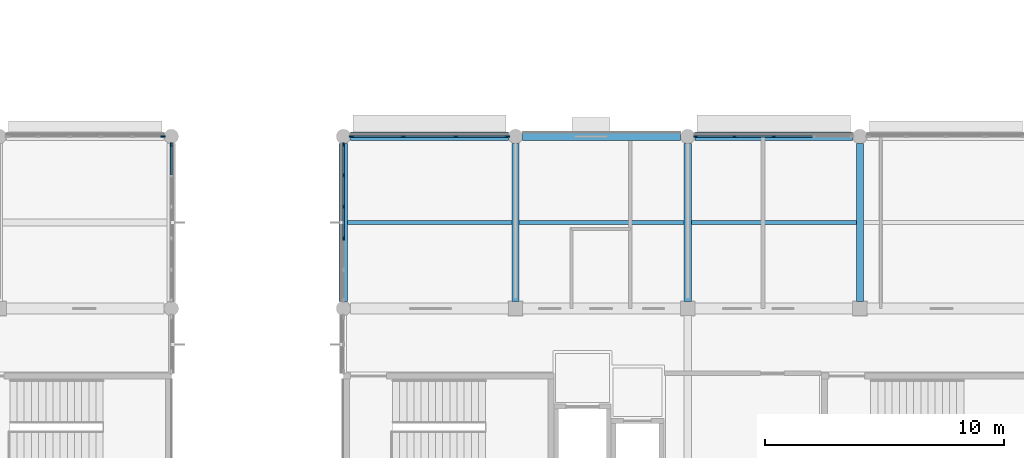
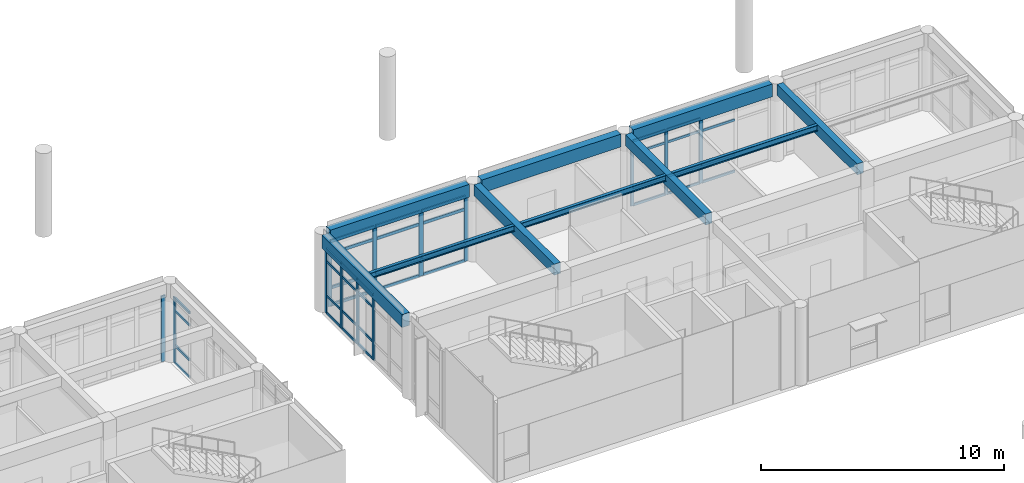
# One storey, part 11 of 41: 52 members, 10 beams, 5 elements without a shape of their own.
"""IFC4 building model written with IfcOpenShell, lengths in metres."""

from ifc_helpers import new_model, si_unit, direction, frame, origin, origin_2d, place, context, subcontext, project, spatial, rectangle, i_section, extrude, material, layer, layer_set, material_profile, profile_set, type_object, element, aggregate, save


model = new_model("IFC4")

# Units and contexts
model_context = context("Model", 3, precision=1e-05, world=origin(), true_north=direction((0.0, 1.0)))
body_context = subcontext(model_context, "Body", "Model", "MODEL_VIEW")
ifc_project = project(units=[si_unit("LENGTHUNIT", "METRE"), si_unit("AREAUNIT", "SQUARE_METRE"), si_unit("VOLUMEUNIT", "CUBIC_METRE"), si_unit("PLANEANGLEUNIT", "RADIAN"), si_unit("MASSUNIT", "GRAM", prefix="KILO")], contexts=[model_context])

# Site, building, storey
site_placement = place(None, origin())
site = spatial("IfcSite", under=ifc_project, at=site_placement, CompositionType="ELEMENT")
building_placement = place(site_placement, origin())
building = spatial("IfcBuilding", under=site, at=building_placement, Name="Namkhue Oval Health Centre", CompositionType="ELEMENT")
storey_placement = place(building_placement, frame((0.0, 0.0, 13.800048828125)))
storey = spatial("IfcBuildingStorey", under=building, at=storey_placement, Name="L03", CompositionType="ELEMENT", Elevation=13.800048828125)

# Curtain wall, member
ifc_material_1 = material(Name="Anodised aluminium EN AW-6063 T6", Category="aluminium")
ifc_layer_1 = layer(ifc_material_1, 0.159912109375)
ifc_layer_set_1 = layer_set([ifc_layer_1], Name="Anodised aluminium EN AW-6063 T6")
curtain_wall_type_1 = type_object("IfcCurtainWallType", Name="UNITISED CURTAIN WALL M1200", PredefinedType="NOTDEFINED", material=ifc_layer_set_1)
curtain_wall_1_placement = place(storey_placement, origin())
curtain_wall_1 = element("IfcCurtainWall", 1, at=curtain_wall_1_placement, inside=storey, type_object=curtain_wall_type_1, Name="Volume V2 L03 Unitised Curtain Wall 73", PredefinedType="NOTDEFINED")
ifc_material_profile_1 = material_profile(ifc_material_1, rectangle(XDim=0.06494140625, YDim=0.159912109375, at=origin_2d()), Name="ALU 65x160")
ifc_profile_set_1 = profile_set([ifc_material_profile_1], Name="Anodised aluminium EN AW-6063 T6")
member_type_1 = type_object("IfcMemberType", Name="CURTAIN WALL MULLION 65X160", PredefinedType="MULLION", material=ifc_profile_set_1)
member_1_placement = place(storey_placement, frame((86.39990234375, 104.0576171875, 0.0), z_axis=(0.0, 0.0, 1.0), x_axis=(-1.0, 0.0, 0.0)))
member_1 = element("IfcMember", 2, at=member_1_placement, type_object=member_type_1, Name="CW-01 mullion 6", PredefinedType="MULLION", context=body_context, shape_type="SweptSolid", body=[
    extrude(rectangle(XDim=0.06494140625, YDim=0.159912109375, at=origin_2d()), origin(), (0.0, 0.0, 1.0), 3.294921875),
])

# Curtain wall, members
ifc_layer_2 = layer(ifc_material_1, 0.159912109375)
ifc_layer_set_2 = layer_set([ifc_layer_2], Name="Anodised aluminium EN AW-6063 T6")
curtain_wall_type_2 = type_object("IfcCurtainWallType", Name="UNITISED CURTAIN WALL M1800", PredefinedType="NOTDEFINED", material=ifc_layer_set_2)
curtain_wall_2_placement = place(storey_placement, origin())
curtain_wall_2 = element("IfcCurtainWall", 3, at=curtain_wall_2_placement, inside=storey, type_object=curtain_wall_type_2, Name="Volume V3 L03 Unitised Curtain Wall 119", PredefinedType="NOTDEFINED")
member_2_placement = place(storey_placement, frame((111.60009765625, 104.39990234375, 0.0), z_axis=(0.0, 0.0, 1.0), x_axis=(0.0, -1.0, 0.0)))
member_2 = element("IfcMember", 4, at=member_2_placement, type_object=member_type_1, Name="CW-05 mullion 3", PredefinedType="MULLION", context=body_context, shape_type="SweptSolid", body=[
    extrude(rectangle(XDim=0.06494140625, YDim=0.159912109375, at=origin_2d()), origin(), (0.0, 0.0, 1.0), 3.27001953125),
])
member_3_placement = place(storey_placement, frame((109.955078125, 104.39990234375, 0.0), z_axis=(0.0, 0.0, 1.0), x_axis=(0.0, -1.0, 0.0)))
member_3 = element("IfcMember", 5, at=member_3_placement, type_object=member_type_1, Name="CW-05 mullion 4", PredefinedType="MULLION", context=body_context, shape_type="SweptSolid", body=[
    extrude(rectangle(XDim=0.06494140625, YDim=0.159912109375, at=origin_2d()), origin(), (0.0, 0.0, 1.0), 3.27001953125),
])
member_4_placement = place(storey_placement, frame((108.342529296875, 104.39990234375, 0.0), z_axis=(0.0, 0.0, 1.0), x_axis=(0.0, -1.0, 0.0)))
member_4 = element("IfcMember", 6, at=member_4_placement, type_object=member_type_1, Name="CW-05 mullion 5", PredefinedType="MULLION", context=body_context, shape_type="SweptSolid", body=[
    extrude(rectangle(XDim=0.06494140625, YDim=0.159912109375, at=origin_2d()), origin(), (0.0, 0.0, 1.0), 3.27001953125),
])

curtain_wall_3_placement = place(storey_placement, origin())
curtain_wall_3 = element("IfcCurtainWall", 7, at=curtain_wall_3_placement, inside=storey, type_object=curtain_wall_type_1, Name="Volume V3 L03 Unitised Curtain Wall 121", PredefinedType="NOTDEFINED")
member_5_placement = place(storey_placement, frame((93.60009765625, 104.0576171875, 0.0), z_axis=(0.0, 0.0, 1.0), x_axis=(1.0, 0.0, 0.0)))
member_5 = element("IfcMember", 8, at=member_5_placement, type_object=member_type_1, Name="CW-01 mullion 1", PredefinedType="MULLION", context=body_context, shape_type="SweptSolid", body=[
    extrude(rectangle(XDim=0.06494140625, YDim=0.159912109375, at=origin_2d()), origin(), (0.0, 0.0, 1.0), 3.27001953125),
])
member_6_placement = place(storey_placement, frame((93.60009765625, 102.77392578125, 0.0), z_axis=(0.0, 0.0, 1.0), x_axis=(1.0, 0.0, 0.0)))
member_6 = element("IfcMember", 9, at=member_6_placement, type_object=member_type_1, Name="CW-01 mullion 2", PredefinedType="MULLION", context=body_context, shape_type="SweptSolid", body=[
    extrude(rectangle(XDim=0.06494140625, YDim=0.159912109375, at=origin_2d()), origin(), (0.0, 0.0, 1.0), 3.27001953125),
])
member_7_placement = place(storey_placement, frame((93.60009765625, 101.4580078125, 0.0), z_axis=(0.0, 0.0, 1.0), x_axis=(1.0, 0.0, 0.0)))
member_7 = element("IfcMember", 10, at=member_7_placement, type_object=member_type_1, Name="CW-01 mullion 3", PredefinedType="MULLION", context=body_context, shape_type="SweptSolid", body=[
    extrude(rectangle(XDim=0.06494140625, YDim=0.159912109375, at=origin_2d()), origin(), (0.0, 0.0, 1.0), 3.27001953125),
])
member_8_placement = place(storey_placement, frame((93.60009765625, 100.14208984375, 0.0), z_axis=(0.0, 0.0, 1.0), x_axis=(1.0, 0.0, 0.0)))
member_8 = element("IfcMember", 11, at=member_8_placement, type_object=member_type_1, Name="CW-01 mullion 4", PredefinedType="MULLION", context=body_context, shape_type="SweptSolid", body=[
    extrude(rectangle(XDim=0.06494140625, YDim=0.159912109375, at=origin_2d()), origin(), (0.0, 0.0, 1.0), 3.27001953125),
])

# Curtain wall, member
ifc_layer_3 = layer(ifc_material_1, 0.159912109375)
ifc_layer_set_3 = layer_set([ifc_layer_3], Name="Anodised aluminium EN AW-6063 T6")
curtain_wall_type_3 = type_object("IfcCurtainWallType", Name="UNITISED CURTAIN WALL M1350", PredefinedType="NOTDEFINED", material=ifc_layer_set_3)
curtain_wall_4_placement = place(storey_placement, origin())
curtain_wall_4 = element("IfcCurtainWall", 12, at=curtain_wall_4_placement, inside=storey, type_object=curtain_wall_type_3, Name="Volume V2 L03 Unitised Curtain Wall 74", PredefinedType="NOTDEFINED")
ifc_material_profile_2 = material_profile(ifc_material_1, rectangle(XDim=0.074951171875, YDim=0.199951171875, at=origin_2d()), Name="ALU 75x200")
ifc_profile_set_2 = profile_set([ifc_material_profile_2], Name="Anodised aluminium EN AW-6063 T6")
member_type_2 = type_object("IfcMemberType", Name="CURTAIN WALL MULLION 75X200", PredefinedType="MULLION", material=ifc_profile_set_2)
member_9_placement = place(storey_placement, frame((86.052490234375, 104.39990234375, 0.0), z_axis=(0.0, 0.0, 1.0), x_axis=(0.0, -1.0, 0.0)))
member_9 = element("IfcMember", 13, at=member_9_placement, type_object=member_type_2, Name="CW-02 mullion 1", PredefinedType="MULLION", context=body_context, shape_type="SweptSolid", body=[
    extrude(rectangle(XDim=0.074951171875, YDim=0.199951171875, at=origin_2d()), origin(), (0.0, 0.0, 1.0), 3.294921875),
])
aggregate(curtain_wall_4, [member_9])

# Curtain wall, members
ifc_layer_4 = layer(ifc_material_1, 0.159912109375)
ifc_layer_set_4 = layer_set([ifc_layer_4], Name="Anodised aluminium EN AW-6063 T6")
curtain_wall_type_4 = type_object("IfcCurtainWallType", Name="UNITISED CURTAIN WALL M2000", PredefinedType="NOTDEFINED", material=ifc_layer_set_4)
curtain_wall_5_placement = place(storey_placement, origin())
curtain_wall_5 = element("IfcCurtainWall", 14, at=curtain_wall_5_placement, inside=storey, type_object=curtain_wall_type_4, Name="Volume V3 L03 Unitised Curtain Wall 120", PredefinedType="NOTDEFINED")
member_10_placement = place(storey_placement, frame((100.452392578125, 104.39990234375, 0.0), z_axis=(0.0, 0.0, 1.0), x_axis=(0.0, -1.0, 0.0)))
member_10 = element("IfcMember", 15, at=member_10_placement, type_object=member_type_2, Name="CW-06 mullion 1", PredefinedType="MULLION", context=body_context, shape_type="SweptSolid", body=[
    extrude(rectangle(XDim=0.074951171875, YDim=0.199951171875, at=origin_2d()), origin(), (0.0, 0.0, 1.0), 3.27001953125),
])
member_11_placement = place(storey_placement, frame((98.296630859375, 104.39990234375, 0.0), z_axis=(0.0, 0.0, 1.0), x_axis=(0.0, -1.0, 0.0)))
member_11 = element("IfcMember", 16, at=member_11_placement, type_object=member_type_2, Name="CW-06 mullion 2", PredefinedType="MULLION", context=body_context, shape_type="SweptSolid", body=[
    extrude(rectangle(XDim=0.074951171875, YDim=0.199951171875, at=origin_2d()), origin(), (0.0, 0.0, 1.0), 3.27001953125),
])
member_12_placement = place(storey_placement, frame((96.103271484375, 104.39990234375, 0.0), z_axis=(0.0, 0.0, 1.0), x_axis=(0.0, -1.0, 0.0)))
member_12 = element("IfcMember", 17, at=member_12_placement, type_object=member_type_2, Name="CW-06 mullion 3", PredefinedType="MULLION", context=body_context, shape_type="SweptSolid", body=[
    extrude(rectangle(XDim=0.074951171875, YDim=0.199951171875, at=origin_2d()), origin(), (0.0, 0.0, 1.0), 3.27001953125),
])
member_13_placement = place(storey_placement, frame((93.947509765625, 104.39990234375, 0.0), z_axis=(0.0, 0.0, 1.0), x_axis=(0.0, -1.0, 0.0)))
member_13 = element("IfcMember", 18, at=member_13_placement, type_object=member_type_2, Name="CW-06 mullion 4", PredefinedType="MULLION", context=body_context, shape_type="SweptSolid", body=[
    extrude(rectangle(XDim=0.074951171875, YDim=0.199951171875, at=origin_2d()), origin(), (0.0, 0.0, 1.0), 3.27001953125),
])

# Member
ifc_material_profile_3 = material_profile(ifc_material_1, rectangle(XDim=0.06494140625, YDim=0.1201171875, at=origin_2d()), Name="ALU 65x120")
ifc_profile_set_3 = profile_set([ifc_material_profile_3], Name="Anodised aluminium EN AW-6063 T6")
member_type_3 = type_object("IfcMemberType", Name="CURTAIN WALL TRANSOM 65X120", PredefinedType="USERDEFINED", material=ifc_profile_set_3)
member_14_placement = place(storey_placement, frame((86.39990234375, 102.806396484375, 0.032470703125), z_axis=(0.0, 1.0, 0.0), x_axis=(-1.0, 0.0, 0.0)))
member_14 = element("IfcMember", 19, at=member_14_placement, type_object=member_type_3, Name="CW-01 transom 5.1", ObjectType="TRANSOM", PredefinedType="USERDEFINED", context=body_context, shape_type="SweptSolid", body=[
    extrude(rectangle(XDim=0.06494140625, YDim=0.1201171875, at=origin_2d()), origin(), (0.0, 0.0, 1.0), 1.218505859375),
])

member_15_placement = place(storey_placement, frame((86.39990234375, 102.806396484375, 0.89990234375), z_axis=(0.0, 1.0, 0.0), x_axis=(-1.0, 0.0, 0.0)))
member_15 = element("IfcMember", 20, at=member_15_placement, type_object=member_type_3, Name="CW-01 transom 5.2", ObjectType="TRANSOM", PredefinedType="USERDEFINED", context=body_context, shape_type="SweptSolid", body=[
    extrude(rectangle(XDim=0.06494140625, YDim=0.1201171875, at=origin_2d()), origin(), (0.0, 0.0, 1.0), 1.218505859375),
])

member_16_placement = place(storey_placement, frame((86.39990234375, 102.806396484375, 2.64501953125), z_axis=(0.0, 1.0, 0.0), x_axis=(-1.0, 0.0, 0.0)))
member_16 = element("IfcMember", 21, at=member_16_placement, type_object=member_type_3, Name="CW-01 transom 5.3", ObjectType="TRANSOM", PredefinedType="USERDEFINED", context=body_context, shape_type="SweptSolid", body=[
    extrude(rectangle(XDim=0.06494140625, YDim=0.1201171875, at=origin_2d()), origin(), (0.0, 0.0, 1.0), 1.218505859375),
])

member_17_placement = place(storey_placement, frame((86.39990234375, 102.806396484375, 3.262451171875), z_axis=(0.0, 1.0, 0.0), x_axis=(-1.0, 0.0, 0.0)))
member_17 = element("IfcMember", 22, at=member_17_placement, type_object=member_type_3, Name="CW-01 transom 5.4", ObjectType="TRANSOM", PredefinedType="USERDEFINED", context=body_context, shape_type="SweptSolid", body=[
    extrude(rectangle(XDim=0.06494140625, YDim=0.1201171875, at=origin_2d()), origin(), (0.0, 0.0, 1.0), 1.218505859375),
])

aggregate(curtain_wall_1, [member_1, member_14, member_15, member_16, member_17])

member_18_placement = place(storey_placement, frame((113.21240234375, 104.39990234375, 0.032470703125), z_axis=(-1.0, 0.0, 0.0), x_axis=(0.0, -1.0, 0.0)))
member_18 = element("IfcMember", 23, at=member_18_placement, type_object=member_type_3, Name="CW-05 transom 2.1", ObjectType="TRANSOM", PredefinedType="USERDEFINED", context=body_context, shape_type="SweptSolid", body=[
    extrude(rectangle(XDim=0.06494140625, YDim=0.1201171875, at=origin_2d()), origin(), (0.0, 0.0, 1.0), 1.579833984375),
])

member_19_placement = place(storey_placement, frame((113.21240234375, 104.39990234375, 0.89990234375), z_axis=(-1.0, 0.0, 0.0), x_axis=(0.0, -1.0, 0.0)))
member_19 = element("IfcMember", 24, at=member_19_placement, type_object=member_type_3, Name="CW-05 transom 2.2", ObjectType="TRANSOM", PredefinedType="USERDEFINED", context=body_context, shape_type="SweptSolid", body=[
    extrude(rectangle(XDim=0.06494140625, YDim=0.1201171875, at=origin_2d()), origin(), (0.0, 0.0, 1.0), 1.579833984375),
])

member_20_placement = place(storey_placement, frame((113.21240234375, 104.39990234375, 2.619873046875), z_axis=(-1.0, 0.0, 0.0), x_axis=(0.0, -1.0, 0.0)))
member_20 = element("IfcMember", 25, at=member_20_placement, type_object=member_type_3, Name="CW-05 transom 2.3", ObjectType="TRANSOM", PredefinedType="USERDEFINED", context=body_context, shape_type="SweptSolid", body=[
    extrude(rectangle(XDim=0.06494140625, YDim=0.1201171875, at=origin_2d()), origin(), (0.0, 0.0, 1.0), 1.579833984375),
])

member_21_placement = place(storey_placement, frame((111.5673828125, 104.39990234375, 0.032470703125), z_axis=(-1.0, 0.0, 0.0), x_axis=(0.0, -1.0, 0.0)))
member_21 = element("IfcMember", 26, at=member_21_placement, type_object=member_type_3, Name="CW-05 transom 3.1", ObjectType="TRANSOM", PredefinedType="USERDEFINED", context=body_context, shape_type="SweptSolid", body=[
    extrude(rectangle(XDim=0.06494140625, YDim=0.1201171875, at=origin_2d()), origin(), (0.0, 0.0, 1.0), 1.579833984375),
])

member_22_placement = place(storey_placement, frame((111.5673828125, 104.39990234375, 0.89990234375), z_axis=(-1.0, 0.0, 0.0), x_axis=(0.0, -1.0, 0.0)))
member_22 = element("IfcMember", 27, at=member_22_placement, type_object=member_type_3, Name="CW-05 transom 3.2", ObjectType="TRANSOM", PredefinedType="USERDEFINED", context=body_context, shape_type="SweptSolid", body=[
    extrude(rectangle(XDim=0.06494140625, YDim=0.1201171875, at=origin_2d()), origin(), (0.0, 0.0, 1.0), 1.579833984375),
])

member_23_placement = place(storey_placement, frame((111.5673828125, 104.39990234375, 2.619873046875), z_axis=(-1.0, 0.0, 0.0), x_axis=(0.0, -1.0, 0.0)))
member_23 = element("IfcMember", 28, at=member_23_placement, type_object=member_type_3, Name="CW-05 transom 3.3", ObjectType="TRANSOM", PredefinedType="USERDEFINED", context=body_context, shape_type="SweptSolid", body=[
    extrude(rectangle(XDim=0.06494140625, YDim=0.1201171875, at=origin_2d()), origin(), (0.0, 0.0, 1.0), 1.579833984375),
])

member_24_placement = place(storey_placement, frame((111.5673828125, 104.39990234375, 3.237548828125), z_axis=(-1.0, 0.0, 0.0), x_axis=(0.0, -1.0, 0.0)))
member_24 = element("IfcMember", 29, at=member_24_placement, type_object=member_type_3, Name="CW-05 transom 3.4", ObjectType="TRANSOM", PredefinedType="USERDEFINED", context=body_context, shape_type="SweptSolid", body=[
    extrude(rectangle(XDim=0.06494140625, YDim=0.1201171875, at=origin_2d()), origin(), (0.0, 0.0, 1.0), 1.579833984375),
])

member_25_placement = place(storey_placement, frame((109.922607421875, 104.39990234375, 0.032470703125), z_axis=(-1.0, 0.0, 0.0), x_axis=(0.0, -1.0, 0.0)))
member_25 = element("IfcMember", 30, at=member_25_placement, type_object=member_type_3, Name="CW-05 transom 4.1", ObjectType="TRANSOM", PredefinedType="USERDEFINED", context=body_context, shape_type="SweptSolid", body=[
    extrude(rectangle(XDim=0.06494140625, YDim=0.1201171875, at=origin_2d()), origin(), (0.0, 0.0, 1.0), 1.547607421875),
])

member_26_placement = place(storey_placement, frame((109.922607421875, 104.39990234375, 0.89990234375), z_axis=(-1.0, 0.0, 0.0), x_axis=(0.0, -1.0, 0.0)))
member_26 = element("IfcMember", 31, at=member_26_placement, type_object=member_type_3, Name="CW-05 transom 4.2", ObjectType="TRANSOM", PredefinedType="USERDEFINED", context=body_context, shape_type="SweptSolid", body=[
    extrude(rectangle(XDim=0.06494140625, YDim=0.1201171875, at=origin_2d()), origin(), (0.0, 0.0, 1.0), 1.547607421875),
])

member_27_placement = place(storey_placement, frame((109.922607421875, 104.39990234375, 2.619873046875), z_axis=(-1.0, 0.0, 0.0), x_axis=(0.0, -1.0, 0.0)))
member_27 = element("IfcMember", 32, at=member_27_placement, type_object=member_type_3, Name="CW-05 transom 4.3", ObjectType="TRANSOM", PredefinedType="USERDEFINED", context=body_context, shape_type="SweptSolid", body=[
    extrude(rectangle(XDim=0.06494140625, YDim=0.1201171875, at=origin_2d()), origin(), (0.0, 0.0, 1.0), 1.547607421875),
])

member_28_placement = place(storey_placement, frame((109.922607421875, 104.39990234375, 3.237548828125), z_axis=(-1.0, 0.0, 0.0), x_axis=(0.0, -1.0, 0.0)))
member_28 = element("IfcMember", 33, at=member_28_placement, type_object=member_type_3, Name="CW-05 transom 4.4", ObjectType="TRANSOM", PredefinedType="USERDEFINED", context=body_context, shape_type="SweptSolid", body=[
    extrude(rectangle(XDim=0.06494140625, YDim=0.1201171875, at=origin_2d()), origin(), (0.0, 0.0, 1.0), 1.547607421875),
])

aggregate(curtain_wall_2, [member_2, member_3, member_4, member_18, member_19, member_20, member_21, member_22, member_23, member_24, member_25, member_26, member_27, member_28])

member_29_placement = place(storey_placement, frame((93.60009765625, 104.02490234375, 0.032470703125), z_axis=(0.0, -1.0, 0.0), x_axis=(1.0, 0.0, 0.0)))
member_29 = element("IfcMember", 34, at=member_29_placement, type_object=member_type_3, Name="CW-01 transom 1.1", ObjectType="TRANSOM", PredefinedType="USERDEFINED", context=body_context, shape_type="SweptSolid", body=[
    extrude(rectangle(XDim=0.06494140625, YDim=0.1201171875, at=origin_2d()), origin(), (0.0, 0.0, 1.0), 1.218505859375),
])

member_30_placement = place(storey_placement, frame((93.60009765625, 104.02490234375, 0.89990234375), z_axis=(0.0, -1.0, 0.0), x_axis=(1.0, 0.0, 0.0)))
member_30 = element("IfcMember", 35, at=member_30_placement, type_object=member_type_3, Name="CW-01 transom 1.2", ObjectType="TRANSOM", PredefinedType="USERDEFINED", context=body_context, shape_type="SweptSolid", body=[
    extrude(rectangle(XDim=0.06494140625, YDim=0.1201171875, at=origin_2d()), origin(), (0.0, 0.0, 1.0), 1.218505859375),
])

member_31_placement = place(storey_placement, frame((93.60009765625, 104.02490234375, 2.619873046875), z_axis=(0.0, -1.0, 0.0), x_axis=(1.0, 0.0, 0.0)))
member_31 = element("IfcMember", 36, at=member_31_placement, type_object=member_type_3, Name="CW-01 transom 1.3", ObjectType="TRANSOM", PredefinedType="USERDEFINED", context=body_context, shape_type="SweptSolid", body=[
    extrude(rectangle(XDim=0.06494140625, YDim=0.1201171875, at=origin_2d()), origin(), (0.0, 0.0, 1.0), 1.218505859375),
])

member_32_placement = place(storey_placement, frame((93.60009765625, 104.02490234375, 3.237548828125), z_axis=(0.0, -1.0, 0.0), x_axis=(1.0, 0.0, 0.0)))
member_32 = element("IfcMember", 37, at=member_32_placement, type_object=member_type_3, Name="CW-01 transom 1.4", ObjectType="TRANSOM", PredefinedType="USERDEFINED", context=body_context, shape_type="SweptSolid", body=[
    extrude(rectangle(XDim=0.06494140625, YDim=0.1201171875, at=origin_2d()), origin(), (0.0, 0.0, 1.0), 1.218505859375),
])

member_33_placement = place(storey_placement, frame((93.60009765625, 102.741455078125, 0.032470703125), z_axis=(0.0, -1.0, 0.0), x_axis=(1.0, 0.0, 0.0)))
member_33 = element("IfcMember", 38, at=member_33_placement, type_object=member_type_3, Name="CW-01 transom 2.1", ObjectType="TRANSOM", PredefinedType="USERDEFINED", context=body_context, shape_type="SweptSolid", body=[
    extrude(rectangle(XDim=0.06494140625, YDim=0.1201171875, at=origin_2d()), origin(), (0.0, 0.0, 1.0), 1.2509765625),
])

member_34_placement = place(storey_placement, frame((93.60009765625, 102.741455078125, 0.89990234375), z_axis=(0.0, -1.0, 0.0), x_axis=(1.0, 0.0, 0.0)))
member_34 = element("IfcMember", 39, at=member_34_placement, type_object=member_type_3, Name="CW-01 transom 2.2", ObjectType="TRANSOM", PredefinedType="USERDEFINED", context=body_context, shape_type="SweptSolid", body=[
    extrude(rectangle(XDim=0.06494140625, YDim=0.1201171875, at=origin_2d()), origin(), (0.0, 0.0, 1.0), 1.2509765625),
])

member_35_placement = place(storey_placement, frame((93.60009765625, 102.741455078125, 2.619873046875), z_axis=(0.0, -1.0, 0.0), x_axis=(1.0, 0.0, 0.0)))
member_35 = element("IfcMember", 40, at=member_35_placement, type_object=member_type_3, Name="CW-01 transom 2.3", ObjectType="TRANSOM", PredefinedType="USERDEFINED", context=body_context, shape_type="SweptSolid", body=[
    extrude(rectangle(XDim=0.06494140625, YDim=0.1201171875, at=origin_2d()), origin(), (0.0, 0.0, 1.0), 1.2509765625),
])

member_36_placement = place(storey_placement, frame((93.60009765625, 102.741455078125, 3.237548828125), z_axis=(0.0, -1.0, 0.0), x_axis=(1.0, 0.0, 0.0)))
member_36 = element("IfcMember", 41, at=member_36_placement, type_object=member_type_3, Name="CW-01 transom 2.4", ObjectType="TRANSOM", PredefinedType="USERDEFINED", context=body_context, shape_type="SweptSolid", body=[
    extrude(rectangle(XDim=0.06494140625, YDim=0.1201171875, at=origin_2d()), origin(), (0.0, 0.0, 1.0), 1.2509765625),
])

member_37_placement = place(storey_placement, frame((93.60009765625, 101.425537109375, 0.032470703125), z_axis=(0.0, -1.0, 0.0), x_axis=(1.0, 0.0, 0.0)))
member_37 = element("IfcMember", 42, at=member_37_placement, type_object=member_type_3, Name="CW-01 transom 3.1", ObjectType="TRANSOM", PredefinedType="USERDEFINED", context=body_context, shape_type="SweptSolid", body=[
    extrude(rectangle(XDim=0.06494140625, YDim=0.1201171875, at=origin_2d()), origin(), (0.0, 0.0, 1.0), 1.2509765625),
])

member_38_placement = place(storey_placement, frame((93.60009765625, 101.425537109375, 0.89990234375), z_axis=(0.0, -1.0, 0.0), x_axis=(1.0, 0.0, 0.0)))
member_38 = element("IfcMember", 43, at=member_38_placement, type_object=member_type_3, Name="CW-01 transom 3.2", ObjectType="TRANSOM", PredefinedType="USERDEFINED", context=body_context, shape_type="SweptSolid", body=[
    extrude(rectangle(XDim=0.06494140625, YDim=0.1201171875, at=origin_2d()), origin(), (0.0, 0.0, 1.0), 1.2509765625),
])

member_39_placement = place(storey_placement, frame((93.60009765625, 101.425537109375, 2.619873046875), z_axis=(0.0, -1.0, 0.0), x_axis=(1.0, 0.0, 0.0)))
member_39 = element("IfcMember", 44, at=member_39_placement, type_object=member_type_3, Name="CW-01 transom 3.3", ObjectType="TRANSOM", PredefinedType="USERDEFINED", context=body_context, shape_type="SweptSolid", body=[
    extrude(rectangle(XDim=0.06494140625, YDim=0.1201171875, at=origin_2d()), origin(), (0.0, 0.0, 1.0), 1.2509765625),
])

member_40_placement = place(storey_placement, frame((93.60009765625, 101.425537109375, 3.237548828125), z_axis=(0.0, -1.0, 0.0), x_axis=(1.0, 0.0, 0.0)))
member_40 = element("IfcMember", 45, at=member_40_placement, type_object=member_type_3, Name="CW-01 transom 3.4", ObjectType="TRANSOM", PredefinedType="USERDEFINED", context=body_context, shape_type="SweptSolid", body=[
    extrude(rectangle(XDim=0.06494140625, YDim=0.1201171875, at=origin_2d()), origin(), (0.0, 0.0, 1.0), 1.2509765625),
])

aggregate(curtain_wall_3, [member_5, member_6, member_7, member_8, member_29, member_30, member_31, member_32, member_33, member_34, member_35, member_36, member_37, member_38, member_39, member_40])

ifc_material_profile_4 = material_profile(ifc_material_1, rectangle(XDim=0.074951171875, YDim=0.14990234375, at=origin_2d()), Name="ALU 75x150")
ifc_profile_set_4 = profile_set([ifc_material_profile_4], Name="Anodised aluminium EN AW-6063 T6")
member_type_4 = type_object("IfcMemberType", Name="CURTAIN WALL TRANSOM 75X150", PredefinedType="USERDEFINED", material=ifc_profile_set_4)
member_41_placement = place(storey_placement, frame((100.4150390625, 104.39990234375, 0.037353515625), z_axis=(-1.0, 0.0, 0.0), x_axis=(0.0, -1.0, 0.0)))
member_41 = element("IfcMember", 46, at=member_41_placement, type_object=member_type_4, Name="CW-06 transom 1.1", ObjectType="TRANSOM", PredefinedType="USERDEFINED", context=body_context, shape_type="SweptSolid", body=[
    extrude(rectangle(XDim=0.074951171875, YDim=0.14990234375, at=origin_2d()), origin(), (0.0, 0.0, 1.0), 2.080810546875),
])

member_42_placement = place(storey_placement, frame((100.4150390625, 104.39990234375, 0.89990234375), z_axis=(-1.0, 0.0, 0.0), x_axis=(0.0, -1.0, 0.0)))
member_42 = element("IfcMember", 47, at=member_42_placement, type_object=member_type_4, Name="CW-06 transom 1.2", ObjectType="TRANSOM", PredefinedType="USERDEFINED", context=body_context, shape_type="SweptSolid", body=[
    extrude(rectangle(XDim=0.074951171875, YDim=0.14990234375, at=origin_2d()), origin(), (0.0, 0.0, 1.0), 2.080810546875),
])

member_43_placement = place(storey_placement, frame((100.4150390625, 104.39990234375, 2.619873046875), z_axis=(-1.0, 0.0, 0.0), x_axis=(0.0, -1.0, 0.0)))
member_43 = element("IfcMember", 48, at=member_43_placement, type_object=member_type_4, Name="CW-06 transom 1.3", ObjectType="TRANSOM", PredefinedType="USERDEFINED", context=body_context, shape_type="SweptSolid", body=[
    extrude(rectangle(XDim=0.074951171875, YDim=0.14990234375, at=origin_2d()), origin(), (0.0, 0.0, 1.0), 2.080810546875),
])

member_44_placement = place(storey_placement, frame((100.4150390625, 104.39990234375, 3.232421875), z_axis=(-1.0, 0.0, 0.0), x_axis=(0.0, -1.0, 0.0)))
member_44 = element("IfcMember", 49, at=member_44_placement, type_object=member_type_4, Name="CW-06 transom 1.4", ObjectType="TRANSOM", PredefinedType="USERDEFINED", context=body_context, shape_type="SweptSolid", body=[
    extrude(rectangle(XDim=0.074951171875, YDim=0.14990234375, at=origin_2d()), origin(), (0.0, 0.0, 1.0), 2.080810546875),
])

member_45_placement = place(storey_placement, frame((98.25927734375, 104.39990234375, 0.037353515625), z_axis=(-1.0, 0.0, 0.0), x_axis=(0.0, -1.0, 0.0)))
member_45 = element("IfcMember", 50, at=member_45_placement, type_object=member_type_4, Name="CW-06 transom 2.1", ObjectType="TRANSOM", PredefinedType="USERDEFINED", context=body_context, shape_type="SweptSolid", body=[
    extrude(rectangle(XDim=0.074951171875, YDim=0.14990234375, at=origin_2d()), origin(), (0.0, 0.0, 1.0), 2.118408203125),
])

member_46_placement = place(storey_placement, frame((98.25927734375, 104.39990234375, 0.89990234375), z_axis=(-1.0, 0.0, 0.0), x_axis=(0.0, -1.0, 0.0)))
member_46 = element("IfcMember", 51, at=member_46_placement, type_object=member_type_4, Name="CW-06 transom 2.2", ObjectType="TRANSOM", PredefinedType="USERDEFINED", context=body_context, shape_type="SweptSolid", body=[
    extrude(rectangle(XDim=0.074951171875, YDim=0.14990234375, at=origin_2d()), origin(), (0.0, 0.0, 1.0), 2.118408203125),
])

member_47_placement = place(storey_placement, frame((98.25927734375, 104.39990234375, 2.619873046875), z_axis=(-1.0, 0.0, 0.0), x_axis=(0.0, -1.0, 0.0)))
member_47 = element("IfcMember", 52, at=member_47_placement, type_object=member_type_4, Name="CW-06 transom 2.3", ObjectType="TRANSOM", PredefinedType="USERDEFINED", context=body_context, shape_type="SweptSolid", body=[
    extrude(rectangle(XDim=0.074951171875, YDim=0.14990234375, at=origin_2d()), origin(), (0.0, 0.0, 1.0), 2.118408203125),
])

member_48_placement = place(storey_placement, frame((98.25927734375, 104.39990234375, 3.232421875), z_axis=(-1.0, 0.0, 0.0), x_axis=(0.0, -1.0, 0.0)))
member_48 = element("IfcMember", 53, at=member_48_placement, type_object=member_type_4, Name="CW-06 transom 2.4", ObjectType="TRANSOM", PredefinedType="USERDEFINED", context=body_context, shape_type="SweptSolid", body=[
    extrude(rectangle(XDim=0.074951171875, YDim=0.14990234375, at=origin_2d()), origin(), (0.0, 0.0, 1.0), 2.118408203125),
])

member_49_placement = place(storey_placement, frame((96.06591796875, 104.39990234375, 0.037353515625), z_axis=(-1.0, 0.0, 0.0), x_axis=(0.0, -1.0, 0.0)))
member_49 = element("IfcMember", 54, at=member_49_placement, type_object=member_type_4, Name="CW-06 transom 3.1", ObjectType="TRANSOM", PredefinedType="USERDEFINED", context=body_context, shape_type="SweptSolid", body=[
    extrude(rectangle(XDim=0.074951171875, YDim=0.14990234375, at=origin_2d()), origin(), (0.0, 0.0, 1.0), 2.080810546875),
])

member_50_placement = place(storey_placement, frame((96.06591796875, 104.39990234375, 0.89990234375), z_axis=(-1.0, 0.0, 0.0), x_axis=(0.0, -1.0, 0.0)))
member_50 = element("IfcMember", 55, at=member_50_placement, type_object=member_type_4, Name="CW-06 transom 3.2", ObjectType="TRANSOM", PredefinedType="USERDEFINED", context=body_context, shape_type="SweptSolid", body=[
    extrude(rectangle(XDim=0.074951171875, YDim=0.14990234375, at=origin_2d()), origin(), (0.0, 0.0, 1.0), 2.080810546875),
])

member_51_placement = place(storey_placement, frame((96.06591796875, 104.39990234375, 2.619873046875), z_axis=(-1.0, 0.0, 0.0), x_axis=(0.0, -1.0, 0.0)))
member_51 = element("IfcMember", 56, at=member_51_placement, type_object=member_type_4, Name="CW-06 transom 3.3", ObjectType="TRANSOM", PredefinedType="USERDEFINED", context=body_context, shape_type="SweptSolid", body=[
    extrude(rectangle(XDim=0.074951171875, YDim=0.14990234375, at=origin_2d()), origin(), (0.0, 0.0, 1.0), 2.080810546875),
])

member_52_placement = place(storey_placement, frame((96.06591796875, 104.39990234375, 3.232421875), z_axis=(-1.0, 0.0, 0.0), x_axis=(0.0, -1.0, 0.0)))
member_52 = element("IfcMember", 57, at=member_52_placement, type_object=member_type_4, Name="CW-06 transom 3.4", ObjectType="TRANSOM", PredefinedType="USERDEFINED", context=body_context, shape_type="SweptSolid", body=[
    extrude(rectangle(XDim=0.074951171875, YDim=0.14990234375, at=origin_2d()), origin(), (0.0, 0.0, 1.0), 2.080810546875),
])

aggregate(curtain_wall_5, [member_10, member_11, member_12, member_13, member_41, member_42, member_43, member_44, member_45, member_46, member_47, member_48, member_49, member_50, member_51, member_52])

# Beams
ifc_material_2 = material(Name="Reinforced concrete C30/37 (TCVN B35)", Category="concrete")
ifc_material_profile_5 = material_profile(ifc_material_2, rectangle(XDim=0.300048828125, YDim=0.550048828125, at=origin_2d()), Name="RC 300x550")
ifc_profile_set_5 = profile_set([ifc_material_profile_5], Name="Reinforced concrete C30/37 (TCVN B35)")
beam_type_1 = type_object("IfcBeamType", Name="FLOOR BEAM RC 300X550", PredefinedType="BEAM", material=ifc_profile_set_5)
for number, where, z_axis, x_axis, name in (
    (58, (100.800048828125, 97.5, 3.64501953125), (0.0, 1.0, 0.0), (-1.0, 0.0, 0.0), "Volume V3 L04 Beam 15/O-P"),
    (59, (108.0, 97.5, 3.64501953125), (0.0, 1.0, 0.0), (-1.0, 0.0, 0.0), "Volume V3 L04 Beam 16/O-P"),
    (60, (115.199951171875, 97.5, 3.64501953125), (0.0, 1.0, 0.0), (-1.0, 0.0, 0.0), "Volume V3 L04 Beam 17/O-P"),
):
    element("IfcBeam", number, at=place(storey_placement, frame(where, z_axis=z_axis, x_axis=x_axis)), inside=storey, type_object=beam_type_1, Name=name, PredefinedType="BEAM", context=body_context, shape_type="SweptSolid", body=[
        extrude(rectangle(XDim=0.300048828125, YDim=0.550048828125, at=origin_2d()), origin(), (0.0, 0.0, 1.0), 6.60009765625),
    ])
ifc_material_3 = material(Name="Reinforced concrete C35/45 (TCVN B40)", Category="concrete")
ifc_material_profile_6 = material_profile(ifc_material_3, rectangle(XDim=0.35009765625, YDim=0.64990234375, at=origin_2d()), Name="RC 350x650")
ifc_profile_set_6 = profile_set([ifc_material_profile_6], Name="Reinforced concrete C35/45 (TCVN B40)")
beam_type_2 = type_object("IfcBeamType", Name="PERIMETER SPANDREL BEAM 350X650", PredefinedType="SPANDREL", material=ifc_profile_set_6)
beam_1_placement = place(storey_placement, frame((93.89990234375, 104.39990234375, 3.594970703125), z_axis=(1.0, 0.0, 0.0), x_axis=(0.0, 1.0, 0.0)))
element("IfcBeam", 61, at=beam_1_placement, inside=storey, type_object=beam_type_2, Name="Volume V3 L04 Girder P/14-15", PredefinedType="SPANDREL", context=body_context, shape_type="SweptSolid", body=[
    extrude(rectangle(XDim=0.35009765625, YDim=0.64990234375, at=origin_2d()), origin(), (0.0, 0.0, 1.0), 6.60009765625),
])
for number, where, z_axis, x_axis, name in (
    (62, (101.10009765625, 104.39990234375, 3.594970703125), (1.0, 0.0, 0.0), (0.0, 1.0, 0.0), "Volume V3 L04 Girder P/15-16"),
    (63, (108.300048828125, 104.39990234375, 3.594970703125), (1.0, 0.0, 0.0), (0.0, 1.0, 0.0), "Volume V3 L04 Girder P/16-17"),
):
    element("IfcBeam", number, at=place(storey_placement, frame(where, z_axis=z_axis, x_axis=x_axis)), inside=storey, type_object=beam_type_2, Name=name, PredefinedType="SPANDREL", context=body_context, shape_type="SweptSolid", body=[
        extrude(rectangle(XDim=0.35009765625, YDim=0.64990234375, at=origin_2d()), origin(), (0.0, 0.0, 1.0), 6.599853515625),
    ])
beam_2_placement = place(storey_placement, frame((93.60009765625, 97.5, 3.594970703125), z_axis=(0.0, 1.0, 0.0), x_axis=(-1.0, 0.0, 0.0)))
element("IfcBeam", 64, at=beam_2_placement, inside=storey, type_object=beam_type_2, Name="Volume V3 L04 Beam 14/O-P", PredefinedType="SPANDREL", context=body_context, shape_type="SweptSolid", body=[
    extrude(rectangle(XDim=0.35009765625, YDim=0.64990234375, at=origin_2d()), origin(), (0.0, 0.0, 1.0), 6.60009765625),
])
ifc_material_4 = material(Name="Structural steel EN 10025-2 S355JR (TCVN 5575:2024)", Category="steel")
ifc_material_profile_7 = material_profile(ifc_material_4, i_section(OverallWidth=0.14990234375, OverallDepth=0.300048828125, WebThickness=0.007080078125, FlangeThickness=0.0107421875, FilletRadius=0.014892578125, at=origin_2d()), Name="IPE 300")
ifc_profile_set_7 = profile_set([ifc_material_profile_7], Name="Structural steel EN 10025-2 S355JR (TCVN 5575:2024)")
beam_type_3 = type_object("IfcBeamType", Name="SECONDARY JOIST STEEL IPE 300", PredefinedType="JOIST", material=ifc_profile_set_7)
beam_3_placement = place(storey_placement, frame((93.77490234375, 100.800048828125, 3.77001953125), z_axis=(1.0, 0.0, 0.0), x_axis=(0.0, 1.0, 0.0)))
element("IfcBeam", 65, at=beam_3_placement, inside=storey, type_object=beam_type_3, Name="Volume V3 L04 Secondary Joist 14-15", PredefinedType="JOIST", context=body_context, shape_type="SweptSolid", body=[
    extrude(i_section(OverallWidth=0.14990234375, OverallDepth=0.300048828125, WebThickness=0.007080078125, FlangeThickness=0.0107421875, FilletRadius=0.014892578125, at=origin_2d()), origin(), (0.0, 0.0, 1.0), 6.875),
])
for number, where, z_axis, x_axis, name in (
    (66, (100.949951171875, 100.800048828125, 3.77001953125), (1.0, 0.0, 0.0), (0.0, 1.0, 0.0), "Volume V3 L04 Secondary Joist 15-16"),
    (67, (108.14990234375, 100.800048828125, 3.77001953125), (1.0, 0.0, 0.0), (0.0, 1.0, 0.0), "Volume V3 L04 Secondary Joist 16-17"),
):
    element("IfcBeam", number, at=place(storey_placement, frame(where, z_axis=z_axis, x_axis=x_axis)), inside=storey, type_object=beam_type_3, Name=name, PredefinedType="JOIST", context=body_context, shape_type="SweptSolid", body=[
        extrude(i_section(OverallWidth=0.14990234375, OverallDepth=0.300048828125, WebThickness=0.007080078125, FlangeThickness=0.0107421875, FilletRadius=0.014892578125, at=origin_2d()), origin(), (0.0, 0.0, 1.0), 6.900146484375),
    ])

save(model, "model.ifc")
